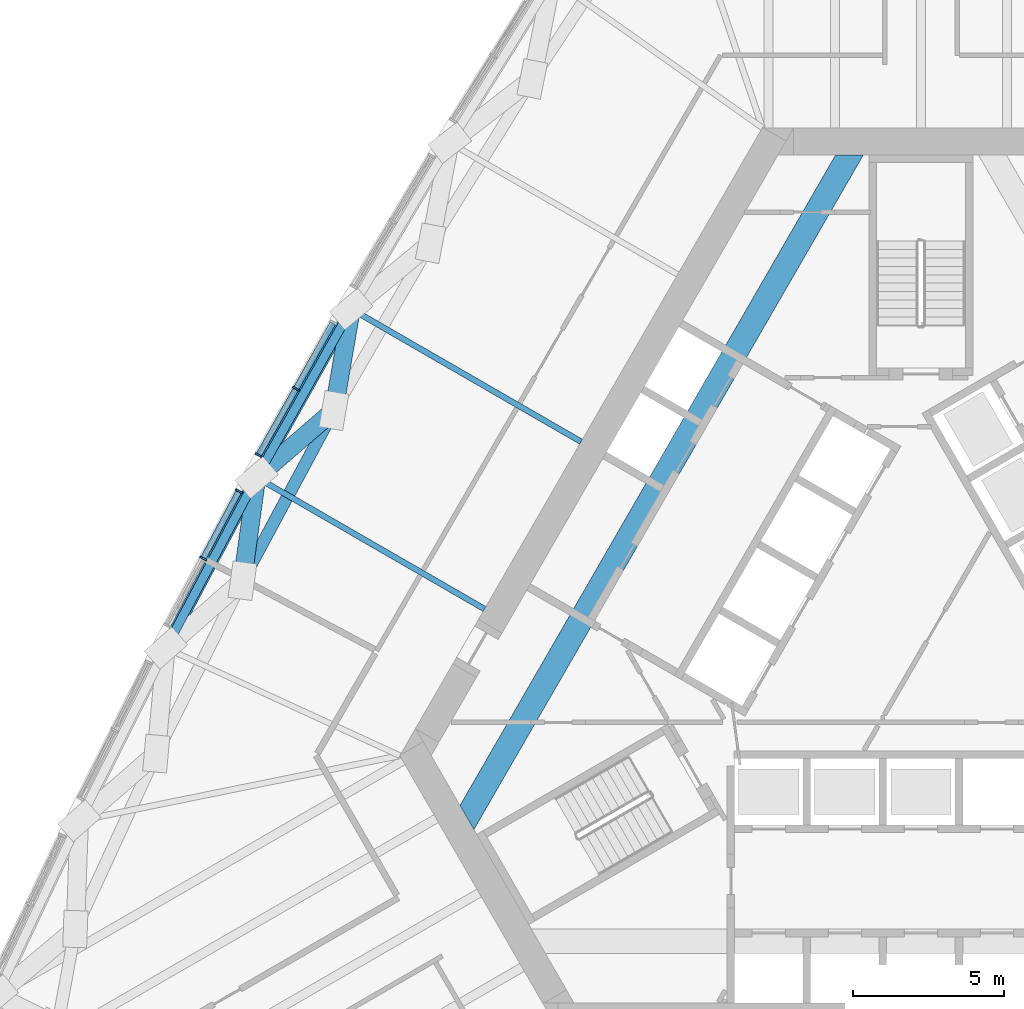
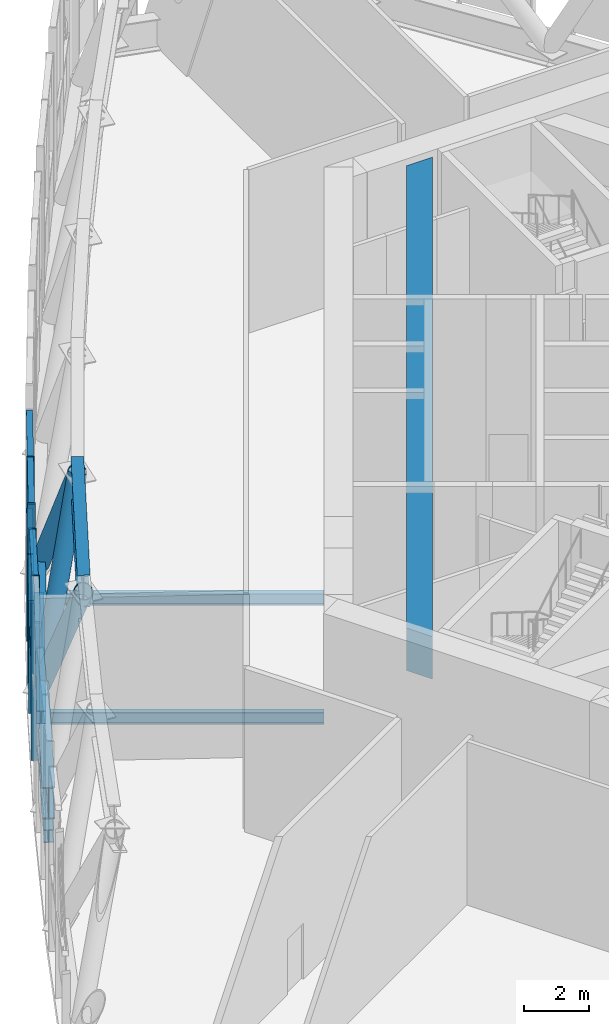
# One storey, part 4 of 33: 16 members, 5 beams, 1 element without a shape of its own.
"""IFC4 building model written with IfcOpenShell, lengths in metres."""

from ifc_helpers import new_model, si_unit, direction, frame, origin, origin_2d, place, context, subcontext, project, spatial, polyline, rectangle, hollow_circle, i_section, outline, extrude, material, material_profile, profile_set, type_object, element, aggregate, save


model = new_model("IFC4")

# Units and contexts
model_context = context("Model", 3, precision=1e-05, world=origin(), true_north=direction((0.0, 1.0)))
body_context = subcontext(model_context, "Body", "Model", "MODEL_VIEW")
ifc_project = project(units=[si_unit("LENGTHUNIT", "METRE"), si_unit("AREAUNIT", "SQUARE_METRE"), si_unit("VOLUMEUNIT", "CUBIC_METRE"), si_unit("PLANEANGLEUNIT", "RADIAN"), si_unit("MASSUNIT", "GRAM", prefix="KILO")], contexts=[model_context])

# Site, building, storey
site_placement = place(None, origin())
site = spatial("IfcSite", under=ifc_project, at=site_placement, CompositionType="ELEMENT")
building_placement = place(site_placement, origin())
building = spatial("IfcBuilding", under=site, at=building_placement, Name="Mestral Congress Tower", CompositionType="ELEMENT")
storey_placement = place(building_placement, frame((0.0, 0.0, 134.39990234375)))
storey = spatial("IfcBuildingStorey", under=building, at=storey_placement, Name="L32", CompositionType="ELEMENT", Elevation=134.39990234375)

# Members
ifc_material_1 = material(Name="Steel S355", Category="steel")
ifc_material_profile_1 = material_profile(ifc_material_1, i_section(OverallWidth=0.39990234375, OverallDepth=1.199951171875, WebThickness=0.02001953125, FlangeThickness=0.0400390625, FilletRadius=0.010009765625, at=origin_2d()), Name="WPG 1200")
ifc_profile_set_1 = profile_set([ifc_material_profile_1], Name="Steel S355")
member_type_1 = type_object("IfcMemberType", Name="Belt chord WPG 1200 S355", PredefinedType="CHORD", material=ifc_profile_set_1)
for number, where, z_axis, x_axis, name in (
    (1, (-18.873779296875, 10.896728515625, 0.60009765625), (-0.489860914929, -0.871800598775, 0.0), (0.871800598775, -0.489860914929, 0.0), "MB-L32-BC2-W04"),
    (2, (-22.0087890625, 5.3173828125, 0.60009765625), (-0.469292819228, -0.88304260929, 0.0), (0.88304260929, -0.469292819228, 0.0), "MB-L32-BC2-W05"),
):
    element("IfcMember", number, at=place(storey_placement, frame(where, z_axis=z_axis, x_axis=x_axis)), inside=storey, type_object=member_type_1, Name=name, PredefinedType="CHORD", context=body_context, shape_type="SweptSolid", body=[
        extrude(i_section(OverallWidth=0.39990234375, OverallDepth=1.199951171875, WebThickness=0.02001953125, FlangeThickness=0.0400390625, FilletRadius=0.010009765625, at=origin_2d()), origin(), (0.0, 0.0, 1.0), 6.39990234375),
    ])
member_1_placement = place(storey_placement, frame((-19.447265625, 7.532958984375, 6.35009765625), z_axis=(-0.473312507767, -0.880894585062, 0.0), x_axis=(0.880894585062, -0.473312507767, 0.0)))
element("IfcMember", 3, at=member_1_placement, inside=storey, type_object=member_type_1, Name="MB-L32-TC2-W04", PredefinedType="CHORD", context=body_context, shape_type="SweptSolid", body=[
    extrude(i_section(OverallWidth=0.39990234375, OverallDepth=1.199951171875, WebThickness=0.02001953125, FlangeThickness=0.0400390625, FilletRadius=0.010009765625, at=origin_2d()), origin(), (0.0, 0.0, 1.0), 6.399658203125),
])
ifc_material_profile_2 = material_profile(ifc_material_1, hollow_circle(Radius=0.304931640625, WallThickness=0.02490234375, at=origin_2d()), Name="CHS 610x25")
ifc_profile_set_2 = profile_set([ifc_material_profile_2], Name="Steel S355")
member_type_2 = type_object("IfcMemberType", Name="Belt diagonal CHS 610x25 S355", PredefinedType="BRACE", material=ifc_profile_set_2)
member_2_placement = place(storey_placement, frame((-18.873779296875, 10.896728515625, 0.60009765625), z_axis=(-0.085770619954, -0.503085398777, 0.859970047321), x_axis=(0.985776059223, -0.168064157578, 0.0)))
element("IfcMember", 4, at=member_2_placement, inside=storey, type_object=member_type_2, Name="MD-L32-BD2-W04.W04", PredefinedType="BRACE", context=body_context, shape_type="SweptSolid", body=[
    extrude(hollow_circle(Radius=0.304931640625, WallThickness=0.02490234375, at=origin_2d()), origin(), (0.0, 0.0, 1.0), 6.686279296875),
])
member_3_placement = place(storey_placement, frame((-22.0087890625, 5.3173828125, 0.60009765625), z_axis=(0.383847677747, 0.332007022069, 0.86164511116), x_axis=(-0.654186484445, 0.756333288683, 0.0)))
element("IfcMember", 5, at=member_3_placement, inside=storey, type_object=member_type_2, Name="MD-L32-BD2-W05.W04", PredefinedType="BRACE", context=body_context, shape_type="SweptSolid", body=[
    extrude(hollow_circle(Radius=0.304931640625, WallThickness=0.02490234375, at=origin_2d()), origin(), (0.0, 0.0, 1.0), 6.67333984375),
])
member_4_placement = place(storey_placement, frame((-22.0087890625, 5.3173828125, 0.60009765625), z_axis=(-0.069702656003, -0.510157925088, 0.857251673207), x_axis=(0.990794860837, -0.135371872039, 0.0)))
element("IfcMember", 6, at=member_4_placement, inside=storey, type_object=member_type_2, Name="MD-L32-BD2-W05.W05", PredefinedType="BRACE", context=body_context, shape_type="SweptSolid", body=[
    extrude(hollow_circle(Radius=0.304931640625, WallThickness=0.02490234375, at=origin_2d()), origin(), (0.0, 0.0, 1.0), 6.70751953125),
])

# Beam
ifc_material_2 = material(Name="Concrete C60/75", Category="concrete")
beam_type_1 = type_object("IfcBeamType", Name="Core transfer wall beam RC 800x1600", PredefinedType="BEAM", material=ifc_material_2)
beam_1_placement = place(storey_placement, frame((0.0, 0.0, 5.35009765625)))
element("IfcBeam", 7, at=beam_1_placement, inside=storey, type_object=beam_type_1, Name="L32 core transfer wall beam", PredefinedType="BEAM", context=body_context, shape_type="SweptSolid", body=[
    extrude(outline(polyline([(-2.8291015625, 16.0), (-1.9052734375, 16.0), (-14.80908203125, -6.35009765625), (-15.27099609375, -5.550048828125), (-2.8291015625, 16.0)])), origin(), (0.0, 0.0, 1.0), 1.60009765625),
])

# Curtain wall, members
ifc_material_3 = material(Name="Clear low-emissivity double glazing", Category="glass")
curtain_wall_type = type_object("IfcCurtainWallType", Name="Facade sky lobby curtain wall", PredefinedType="USERDEFINED", material=ifc_material_3)
curtain_wall_placement = place(storey_placement, origin())
curtain_wall = element("IfcCurtainWall", 8, at=curtain_wall_placement, inside=storey, type_object=curtain_wall_type, Name="Facade sky lobby curtain wall face 3", ObjectType="CURTAIN WALL", PredefinedType="USERDEFINED")
ifc_material_4 = material(Name="Anodised aluminium", Category="aluminium")
ifc_material_profile_3 = material_profile(ifc_material_4, rectangle(XDim=0.25, YDim=0.06005859375, at=origin_2d()), Name="CW1 mullion 250 x 60")
ifc_profile_set_3 = profile_set([ifc_material_profile_3], Name="Anodised aluminium")
member_type_3 = type_object("IfcMemberType", Name="Facade sky lobby curtain wall mullion", PredefinedType="MULLION", material=ifc_profile_set_3)
member_5_placement = place(storey_placement, frame((-20.702880859375, 8.25390625, 0.0), z_axis=(0.0, 0.0, 1.0), x_axis=(-0.871814622705, 0.489835955844, 0.0)))
member_5 = element("IfcMember", 9, at=member_5_placement, type_object=member_type_3, Name="Facade sky lobby curtain wall mullion", PredefinedType="MULLION", context=body_context, shape_type="SweptSolid", body=[
    extrude(rectangle(XDim=0.25, YDim=0.06005859375, at=origin_2d()), origin(), (0.0, 0.0, 1.0), 6.9501953125),
])
member_6_placement = place(storey_placement, frame((-21.937255859375, 6.056884765625, 0.0), z_axis=(0.0, 0.0, 1.0), x_axis=(-0.871814622705, 0.489835955844, 0.0)))
member_6 = element("IfcMember", 10, at=member_6_placement, type_object=member_type_3, Name="Facade sky lobby curtain wall mullion", PredefinedType="MULLION", context=body_context, shape_type="SweptSolid", body=[
    extrude(rectangle(XDim=0.25, YDim=0.06005859375, at=origin_2d()), origin(), (0.0, 0.0, 1.0), 6.9501953125),
])
member_7_placement = place(storey_placement, frame((-22.592529296875, 4.85791015625, 0.0), z_axis=(0.0, 0.0, 1.0), x_axis=(-0.883024602926, 0.469326699248, 0.0)))
member_7 = element("IfcMember", 11, at=member_7_placement, type_object=member_type_3, Name="Facade sky lobby curtain wall mullion", PredefinedType="MULLION", context=body_context, shape_type="SweptSolid", body=[
    extrude(rectangle(XDim=0.25, YDim=0.06005859375, at=origin_2d()), origin(), (0.0, 0.0, 1.0), 6.9501953125),
])
member_8_placement = place(storey_placement, frame((-23.775390625, 2.632568359375, 0.0), z_axis=(0.0, 0.0, 1.0), x_axis=(-0.883024602926, 0.469326699248, 0.0)))
member_8 = element("IfcMember", 12, at=member_8_placement, type_object=member_type_3, Name="Facade sky lobby curtain wall mullion", PredefinedType="MULLION", context=body_context, shape_type="SweptSolid", body=[
    extrude(rectangle(XDim=0.25, YDim=0.06005859375, at=origin_2d()), origin(), (0.0, 0.0, 1.0), 6.9501953125),
])
ifc_material_profile_4 = material_profile(ifc_material_4, rectangle(XDim=0.199951171875, YDim=0.139892578125, at=origin_2d()), Name="CW1 transom 200 x 140")
ifc_profile_set_4 = profile_set([ifc_material_profile_4], Name="Anodised aluminium")
member_type_4 = type_object("IfcMemberType", Name="Facade sky lobby curtain wall transom", PredefinedType="USERDEFINED", material=ifc_profile_set_4)
member_9_placement = place(storey_placement, frame((-19.483154296875, 10.425048828125, 3.2001953125), z_axis=(-0.489766415861, -0.871853690647, 0.0), x_axis=(0.871853690647, -0.489766415861, 0.0)))
member_9 = element("IfcMember", 13, at=member_9_placement, type_object=member_type_4, Name="Facade sky lobby curtain wall transom", ObjectType="TRANSOM", PredefinedType="USERDEFINED", context=body_context, shape_type="SweptSolid", body=[
    extrude(rectangle(XDim=0.199951171875, YDim=0.139892578125, at=origin_2d()), origin(), (0.0, 0.0, 1.0), 2.4599609375),
])
member_10_placement = place(storey_placement, frame((-19.483154296875, 10.425048828125, 6.880126953125), z_axis=(-0.489766415861, -0.871853690647, 0.0), x_axis=(0.871853690647, -0.489766415861, 0.0)))
member_10 = element("IfcMember", 14, at=member_10_placement, type_object=member_type_4, Name="Facade sky lobby curtain wall transom", ObjectType="TRANSOM", PredefinedType="USERDEFINED", context=body_context, shape_type="SweptSolid", body=[
    extrude(rectangle(XDim=0.199951171875, YDim=0.139892578125, at=origin_2d()), origin(), (0.0, 0.0, 1.0), 2.4599609375),
])
member_11_placement = place(storey_placement, frame((-20.717529296875, 8.227783203125, 3.2001953125), z_axis=(-0.48984184817, -0.871811312029, 0.0), x_axis=(0.871811312029, -0.48984184817, 0.0)))
member_11 = element("IfcMember", 15, at=member_11_placement, type_object=member_type_4, Name="Facade sky lobby curtain wall transom", ObjectType="TRANSOM", PredefinedType="USERDEFINED", context=body_context, shape_type="SweptSolid", body=[
    extrude(rectangle(XDim=0.199951171875, YDim=0.139892578125, at=origin_2d()), origin(), (0.0, 0.0, 1.0), 2.460205078125),
])
member_12_placement = place(storey_placement, frame((-20.717529296875, 8.227783203125, 6.880126953125), z_axis=(-0.48984184817, -0.871811312029, 0.0), x_axis=(0.871811312029, -0.48984184817, 0.0)))
member_12 = element("IfcMember", 16, at=member_12_placement, type_object=member_type_4, Name="Facade sky lobby curtain wall transom", ObjectType="TRANSOM", PredefinedType="USERDEFINED", context=body_context, shape_type="SweptSolid", body=[
    extrude(rectangle(XDim=0.199951171875, YDim=0.139892578125, at=origin_2d()), origin(), (0.0, 0.0, 1.0), 2.460205078125),
])
member_13_placement = place(storey_placement, frame((-22.606689453125, 4.831298828125, 3.2001953125), z_axis=(-0.469382552013, -0.882994914971, 0.0), x_axis=(0.882994914971, -0.469382552013, 0.0)))
member_13 = element("IfcMember", 17, at=member_13_placement, type_object=member_type_4, Name="Facade sky lobby curtain wall transom", ObjectType="TRANSOM", PredefinedType="USERDEFINED", context=body_context, shape_type="SweptSolid", body=[
    extrude(rectangle(XDim=0.199951171875, YDim=0.139892578125, at=origin_2d()), origin(), (0.0, 0.0, 1.0), 2.460205078125),
])
member_14_placement = place(storey_placement, frame((-22.606689453125, 4.831298828125, 6.880126953125), z_axis=(-0.469382552013, -0.882994914971, 0.0), x_axis=(0.882994914971, -0.469382552013, 0.0)))
member_14 = element("IfcMember", 18, at=member_14_placement, type_object=member_type_4, Name="Facade sky lobby curtain wall transom", ObjectType="TRANSOM", PredefinedType="USERDEFINED", context=body_context, shape_type="SweptSolid", body=[
    extrude(rectangle(XDim=0.199951171875, YDim=0.139892578125, at=origin_2d()), origin(), (0.0, 0.0, 1.0), 2.460205078125),
])
aggregate(curtain_wall, [member_5, member_6, member_9, member_10, member_11, member_12, member_7, member_8, member_13, member_14])

# Beams
ifc_material_profile_5 = material_profile(ifc_material_1, i_section(OverallWidth=0.18994140625, OverallDepth=0.449951171875, WebThickness=0.009521484375, FlangeThickness=0.0146484375, FilletRadius=0.02099609375, at=origin_2d()), Name="IPE 450")
ifc_profile_set_5 = profile_set([ifc_material_profile_5], Name="Steel S355")
beam_type_2 = type_object("IfcBeamType", Name="Floor beam IPE 450 S355", PredefinedType="BEAM", material=ifc_profile_set_5)
beam_2_placement = place(storey_placement, frame((-18.873779296875, 10.896728515625, -0.625), z_axis=(0.866028853432, -0.499994024988, 0.0), x_axis=(0.499994024988, 0.866028853432, 0.0)))
element("IfcBeam", 19, at=beam_2_placement, inside=storey, type_object=beam_type_2, Name="BM-L32-RB2-W04", PredefinedType="BEAM", context=body_context, shape_type="SweptSolid", body=[
    extrude(i_section(OverallWidth=0.18994140625, OverallDepth=0.449951171875, WebThickness=0.009521484375, FlangeThickness=0.0146484375, FilletRadius=0.02099609375, at=origin_2d()), origin(), (0.0, 0.0, 1.0), 8.79345703125),
])
beam_3_placement = place(storey_placement, frame((-22.0087890625, 5.3173828125, -0.625), z_axis=(0.866028909405, -0.499993928037, 0.0), x_axis=(0.499993928037, 0.866028909405, 0.0)))
element("IfcBeam", 20, at=beam_3_placement, inside=storey, type_object=beam_type_2, Name="BM-L32-RB2-W05", PredefinedType="BEAM", context=body_context, shape_type="SweptSolid", body=[
    extrude(i_section(OverallWidth=0.18994140625, OverallDepth=0.449951171875, WebThickness=0.009521484375, FlangeThickness=0.0146484375, FilletRadius=0.02099609375, at=origin_2d()), origin(), (0.0, 0.0, 1.0), 8.71875),
])
ifc_material_profile_6 = material_profile(ifc_material_1, i_section(OverallWidth=0.300048828125, OverallDepth=0.489990234375, WebThickness=0.011962890625, FlangeThickness=0.02294921875, FilletRadius=0.027099609375, at=origin_2d()), Name="HEA 500")
ifc_profile_set_6 = profile_set([ifc_material_profile_6], Name="Steel S355")
beam_type_3 = type_object("IfcBeamType", Name="Spandrel beam HEA 500 S355", PredefinedType="BEAM", material=ifc_profile_set_6)
for number, where, z_axis, x_axis, name in (
    (21, (-18.873779296875, 10.896728515625, -0.64501953125), (-0.489860914929, -0.871800598775, 0.0), (0.871800598775, -0.489860914929, 0.0), "SP-L32-SB2-W04"),
    (22, (-22.0087890625, 5.3173828125, -0.64501953125), (-0.469292819228, -0.88304260929, 0.0), (0.88304260929, -0.469292819228, 0.0), "SP-L32-SB2-W05"),
):
    element("IfcBeam", number, at=place(storey_placement, frame(where, z_axis=z_axis, x_axis=x_axis)), inside=storey, type_object=beam_type_3, Name=name, PredefinedType="BEAM", context=body_context, shape_type="SweptSolid", body=[
        extrude(i_section(OverallWidth=0.300048828125, OverallDepth=0.489990234375, WebThickness=0.011962890625, FlangeThickness=0.02294921875, FilletRadius=0.027099609375, at=origin_2d()), origin(), (0.0, 0.0, 1.0), 6.39990234375),
    ])

save(model, "model.ifc")
